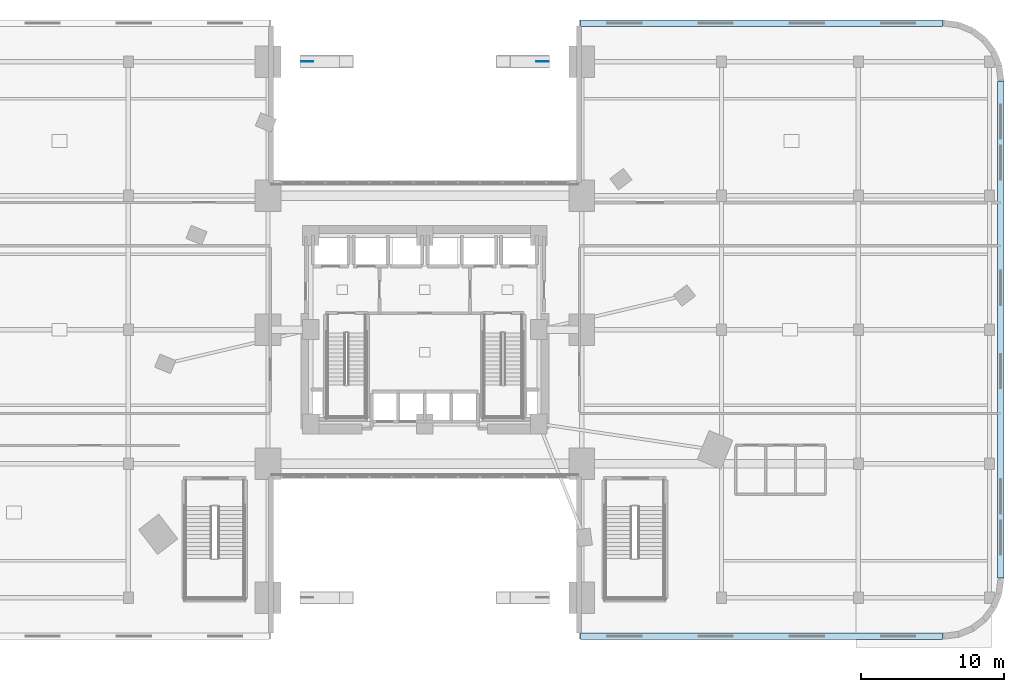
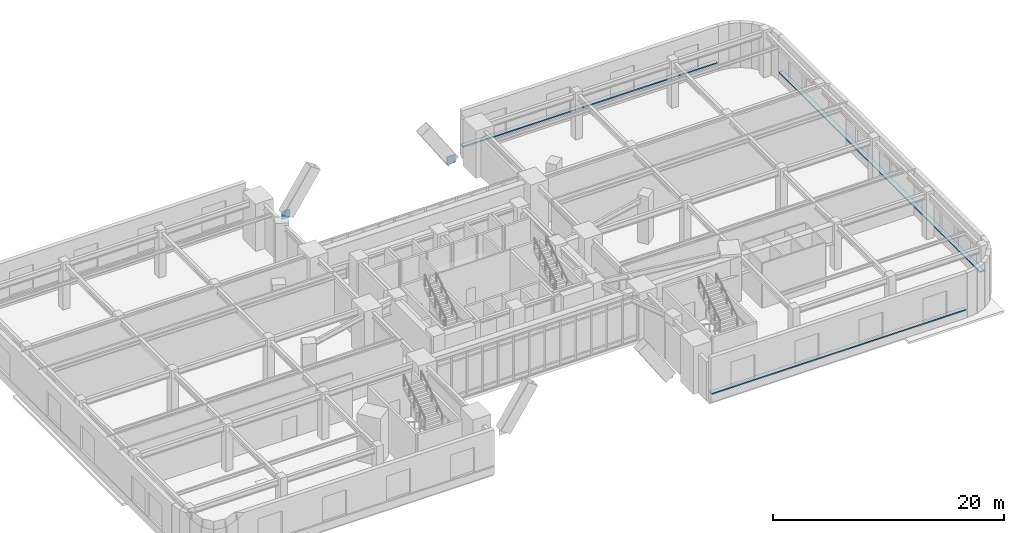
# One storey, part 18 of 26: 5 plates.
"""IFC4 building model written with IfcOpenShell, lengths in metres."""

from ifc_helpers import new_model, si_unit, direction, frame, origin, origin_2d, place, context, subcontext, project, spatial, rectangle, extrude, material, layer, layer_set, type_object, element, save


model = new_model("IFC4")

# Units and contexts
model_context = context("Model", 3, precision=1e-05, world=origin(), true_north=direction((0.0, 1.0)))
body_context = subcontext(model_context, "Body", "Model", "MODEL_VIEW")
ifc_project = project(units=[si_unit("LENGTHUNIT", "METRE"), si_unit("AREAUNIT", "SQUARE_METRE"), si_unit("VOLUMEUNIT", "CUBIC_METRE"), si_unit("PLANEANGLEUNIT", "RADIAN"), si_unit("MASSUNIT", "GRAM", prefix="KILO")], contexts=[model_context])

# Site, building, storey
site_placement = place(None, origin())
site = spatial("IfcSite", under=ifc_project, at=site_placement, CompositionType="ELEMENT")
building_placement = place(site_placement, origin())
building = spatial("IfcBuilding", under=site, at=building_placement, Name="Ndelora Gate Hotel", CompositionType="ELEMENT")
storey_placement = place(building_placement, frame((0.0, 0.0, 6.0)))
storey = spatial("IfcBuildingStorey", under=building, at=storey_placement, Name="L01", CompositionType="ELEMENT", Elevation=6.0)

# Plates
ifc_material_1 = material(Name="Steel S460", Category="steel")
ifc_layer_1 = layer(ifc_material_1, 0.035888671875)
ifc_layer_set_1 = layer_set([ifc_layer_1], Name="Steel S460")
plate_type_1 = type_object("IfcPlateType", Name="PL-NODE-AN2", PredefinedType="USERDEFINED", material=ifc_layer_set_1)
for number, where, z_axis, x_axis, name in (
    (1, (-8.25, 18.800048828125, 1.59375), (0.0, 0.0, 1.0), (1.0, 0.0, 0.0), "Node gusset cap plate AN2"),
    (2, (8.25, 18.800048828125, 1.59375), (0.0, 0.0, 1.0), (1.0, 0.0, 0.0), "Node gusset cap plate AN2"),
):
    element("IfcPlate", number, at=place(storey_placement, frame(where, z_axis=z_axis, x_axis=x_axis)), inside=storey, type_object=plate_type_1, Name=name, ObjectType="GUSSET_PLATE", PredefinedType="USERDEFINED", context=body_context, shape_type="SweptSolid", body=[
        extrude(rectangle(XDim=0.85009765625, YDim=0.035888671875, at=origin_2d()), origin(), (0.0, 0.0, 1.0), 0.85009765625),
    ])
ifc_material_2 = material(Name="Precast concrete C40/50", Category="concrete")
ifc_layer_2 = layer(ifc_material_2, 0.125)
ifc_layer_set_2 = layer_set([ifc_layer_2], Name="Precast concrete C40/50")
plate_type_2 = type_object("IfcPlateType", Name="PL-SILL-120", PredefinedType="USERDEFINED", material=ifc_layer_set_2)
plate_placement = place(storey_placement, frame((40.39990234375, 0.0, 0.8173828125), z_axis=(0.0, 0.0, 1.0), x_axis=(0.0, 1.0, 0.0)))
element("IfcPlate", 3, at=plate_placement, inside=storey, type_object=plate_type_2, Name="L01 Precast Concrete Ribbon Sill Band 7", ObjectType="RIBBON_SILL", PredefinedType="USERDEFINED", context=body_context, shape_type="SweptSolid", body=[
    extrude(rectangle(XDim=34.800048828125, YDim=0.43994140625, at=origin_2d()), origin(), (0.0, 0.0, 1.0), 0.125),
])
for number, where, z_axis, x_axis, name in (
    (4, (23.60009765625, 21.5, 0.8173828125), (0.0, 0.0, 1.0), (1.0, 0.0, 0.0), "L01 Precast Concrete Ribbon Sill Band 15"),
    (5, (23.60009765625, -21.5, 0.8173828125), (0.0, 0.0, 1.0), (1.0, 0.0, 0.0), "L01 Precast Concrete Ribbon Sill Band 30"),
):
    element("IfcPlate", number, at=place(storey_placement, frame(where, z_axis=z_axis, x_axis=x_axis)), inside=storey, type_object=plate_type_2, Name=name, ObjectType="RIBBON_SILL", PredefinedType="USERDEFINED", context=body_context, shape_type="SweptSolid", body=[
        extrude(rectangle(XDim=25.39990234375, YDim=0.43994140625, at=origin_2d()), origin(), (0.0, 0.0, 1.0), 0.125),
    ])

save(model, "model.ifc")
